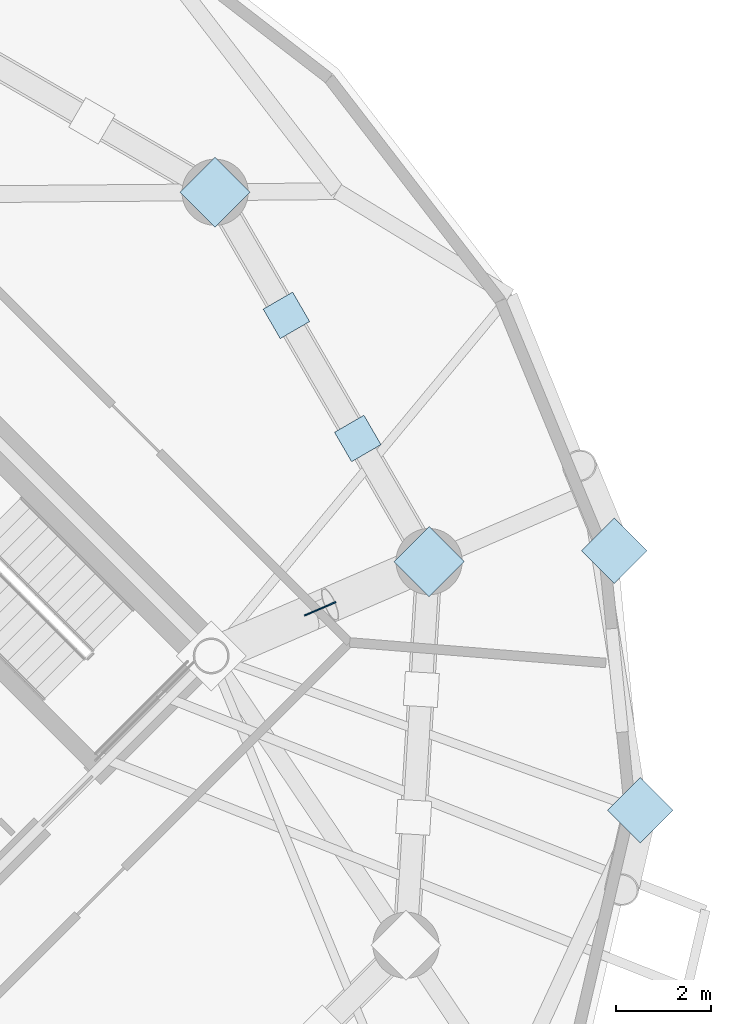
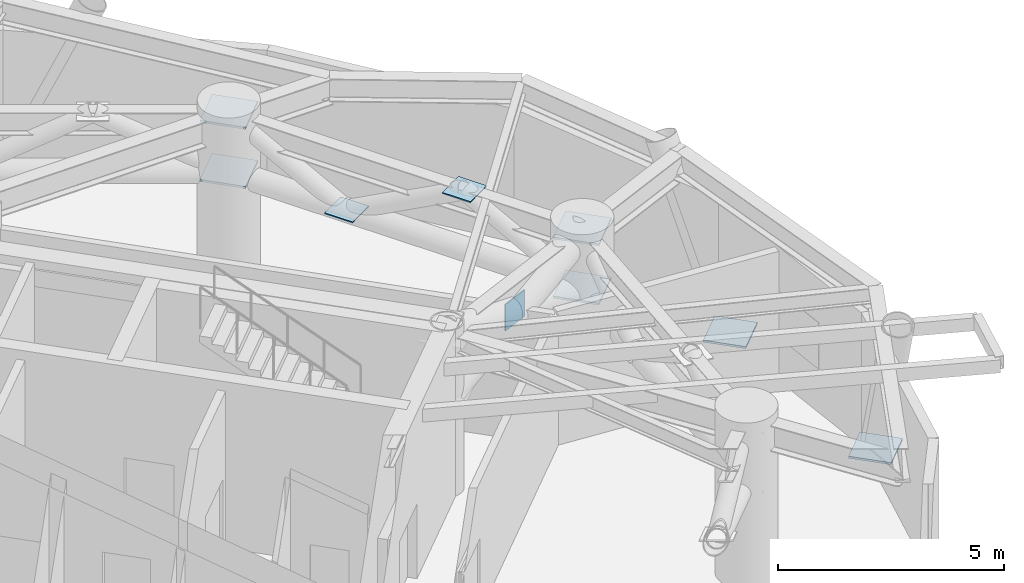
# One storey, part 9 of 16: 9 plates.
"""IFC4 building model written with IfcOpenShell, lengths in metres."""

from ifc_helpers import new_model, si_unit, direction, frame, origin, origin_2d, place, context, subcontext, project, spatial, rectangle, extrude, source, transform, mapped, material, layer, layer_set, type_object, element, save


model = new_model("IFC4")

# Units and contexts
model_context = context("Model", 3, precision=1e-05, world=origin(), true_north=direction((0.0, 1.0)))
body_context = subcontext(model_context, "Body", "Model", "MODEL_VIEW")
ifc_project = project(units=[si_unit("LENGTHUNIT", "METRE"), si_unit("AREAUNIT", "SQUARE_METRE"), si_unit("VOLUMEUNIT", "CUBIC_METRE"), si_unit("PLANEANGLEUNIT", "RADIAN"), si_unit("MASSUNIT", "GRAM", prefix="KILO")], contexts=[model_context])

# Site, building, storey
site_placement = place(None, origin())
site = spatial("IfcSite", under=ifc_project, at=site_placement, CompositionType="ELEMENT")
building_placement = place(site_placement, origin())
building = spatial("IfcBuilding", under=site, at=building_placement, Name="Cununo Teusaquillo Station Towers", CompositionType="ELEMENT")
storey_placement = place(building_placement, frame((0.0, 0.0, 65.64990234375)))
storey = spatial("IfcBuildingStorey", under=building, at=storey_placement, Name="L20", CompositionType="ELEMENT", Elevation=65.64990234375)

# Plates
ifc_material_1 = material(Name="Steel ASTM A572 Grade 50", Category="steel")
ifc_layer_1 = layer(ifc_material_1, 0.054931640625)
ifc_layer_set_1 = layer_set([ifc_layer_1], Name="Steel ASTM A572 Grade 50")
plate_type_1 = type_object("IfcPlateType", Name="PLT-NODE-KDN1", PredefinedType="USERDEFINED", material=ifc_layer_set_1)
shared_shape_1 = source(origin(), body_context, "Body", "SweptSolid", [
    extrude(rectangle(XDim=0.97998046875, YDim=0.97998046875, at=origin_2d()), origin(), (0.0, 0.0, 1.0), 0.054931640625),
])
for number, where, z_axis, x_axis, name in (
    (1, (75.102294921875, 20.0322265625, -0.16748046875), (0.0, 0.0, 1.0), (0.707106781187, 0.707106781187, 0.0), "L20 Tower B Diagrid Node Assembly C16"),
    (2, (74.556640625, 25.521728515625, -0.16748046875), (0.0, 0.0, 1.0), (0.707106781187, 0.707106781187, 0.0), "L20 Tower B Diagrid Node Assembly C18"),
):
    element("IfcPlate", number, at=place(storey_placement, frame(where, z_axis=z_axis, x_axis=x_axis)), inside=storey, type_object=plate_type_1, Name=name, ObjectType="GUSSET PLATE", PredefinedType="USERDEFINED", context=body_context, shape_type="MappedRepresentation", body=[
        mapped(shared_shape_1, transform((0.0, 0.0, 0.0), x_axis=(1.0, 0.0, 0.0), y_axis=(0.0, 1.0, 0.0), z_axis=(0.0, 0.0, 1.0), scale=1.0)),
    ])
ifc_material_2 = material(Name="Steel ASTM A572 Grade 50", Category="steel")
ifc_layer_2 = layer(ifc_material_2, 0.030029296875)
ifc_layer_set_2 = layer_set([ifc_layer_2], Name="Steel ASTM A572 Grade 50")
plate_type_2 = type_object("IfcPlateType", Name="PLT-NODE-XBR", PredefinedType="USERDEFINED", material=ifc_layer_set_2)
shared_shape_2 = source(origin(), body_context, "Body", "SweptSolid", [
    extrude(rectangle(XDim=0.719970703125, YDim=0.030029296875, at=origin_2d()), origin(), (0.0, 0.0, 1.0), 0.719970703125),
])
plate_placement = place(storey_placement, frame((68.32958984375, 24.292724609375, 3.02001953125), z_axis=(0.0, 0.0, 1.0), x_axis=(0.917685296323, 0.397308062984, 0.0)))
element("IfcPlate", 3, at=plate_placement, inside=storey, type_object=plate_type_2, Name="L20 Tower B Outrigger X-Crossing Gusset XBP1 4", ObjectType="GUSSET PLATE", PredefinedType="USERDEFINED", context=body_context, shape_type="MappedRepresentation", body=[
    mapped(shared_shape_2, transform((0.0, 0.0, 0.0), x_axis=(1.0, 0.0, 0.0), y_axis=(0.0, 1.0, 0.0), z_axis=(0.0, 0.0, 1.0), scale=1.0)),
])
ifc_material_3 = material(Name="Steel ASTM A572 Grade 50", Category="steel")
ifc_layer_3 = layer(ifc_material_3, 0.054931640625)
ifc_layer_set_3 = layer_set([ifc_layer_3], Name="Steel ASTM A572 Grade 50")
plate_type_3 = type_object("IfcPlateType", Name="PLT-NODE-OTN1", PredefinedType="USERDEFINED", material=ifc_layer_set_3)
shared_shape_3 = source(origin(), body_context, "Body", "SweptSolid", [
    extrude(rectangle(XDim=1.050048828125, YDim=1.050048828125, at=origin_2d()), origin(), (0.0, 0.0, 1.0), 0.054931640625),
])
for number, where, z_axis, x_axis, name in (
    (4, (66.10693359375, 33.10693359375, 2.552734375), (0.0, 0.0, 1.0), (0.707106781187, 0.707106781187, 0.0), "L20 Tower B Belt Truss Column Gusset 01B"),
    (5, (66.10693359375, 33.10693359375, 4.15283203125), (0.0, 0.0, 1.0), (0.707106781187, 0.707106781187, 0.0), "L20 Tower B Belt Truss Column Gusset 01T"),
    (6, (70.63525390625, 25.291015625, 2.552734375), (0.0, 0.0, 1.0), (0.707106781187, 0.707106781187, 0.0), "L20 Tower B Belt Truss Column Gusset 10B"),
    (7, (70.63525390625, 25.291015625, 4.15283203125), (0.0, 0.0, 1.0), (0.707106781187, 0.707106781187, 0.0), "L20 Tower B Belt Truss Column Gusset 10T"),
):
    element("IfcPlate", number, at=place(storey_placement, frame(where, z_axis=z_axis, x_axis=x_axis)), inside=storey, type_object=plate_type_3, Name=name, ObjectType="GUSSET PLATE", PredefinedType="USERDEFINED", context=body_context, shape_type="MappedRepresentation", body=[
        mapped(shared_shape_3, transform((0.0, 0.0, 0.0), x_axis=(1.0, 0.0, 0.0), y_axis=(0.0, 1.0, 0.0), z_axis=(0.0, 0.0, 1.0), scale=1.0)),
    ])
shared_shape_4 = source(origin(), body_context, "Body", "SweptSolid", [
    extrude(rectangle(XDim=0.719970703125, YDim=0.719970703125, at=origin_2d()), origin(), (0.0, 0.0, 1.0), 0.030029296875),
])
for number, where, z_axis, x_axis, name in (
    (8, (69.125732421875, 27.896484375, 4.1650390625), (0.0, 0.0, 1.0), (-0.501359732114, 0.865238937528, 0.0), "L20 Tower B Belt Web Node Gusset XBP1 10T1"),
    (9, (67.616455078125, 30.501708984375, 2.56494140625), (0.0, 0.0, 1.0), (-0.501359732114, 0.865238937528, 0.0), "L20 Tower B Belt Web Node Gusset XBP1 10B2"),
):
    element("IfcPlate", number, at=place(storey_placement, frame(where, z_axis=z_axis, x_axis=x_axis)), inside=storey, type_object=plate_type_2, Name=name, ObjectType="GUSSET PLATE", PredefinedType="USERDEFINED", context=body_context, shape_type="MappedRepresentation", body=[
        mapped(shared_shape_4, transform((0.0, 0.0, 0.0), x_axis=(1.0, 0.0, 0.0), y_axis=(0.0, 1.0, 0.0), z_axis=(0.0, 0.0, 1.0), scale=1.0)),
    ])

save(model, "model.ifc")
